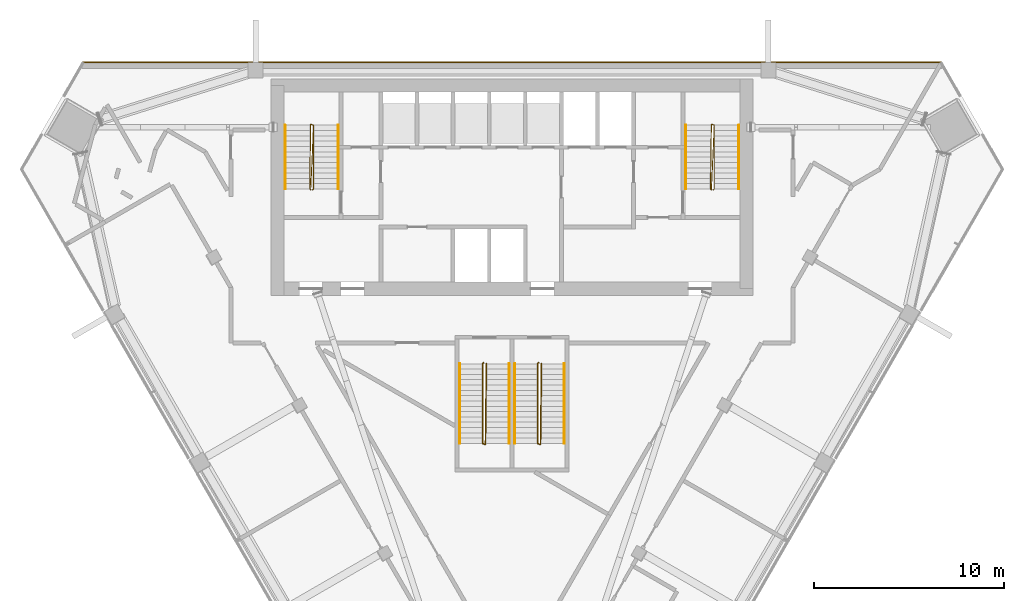
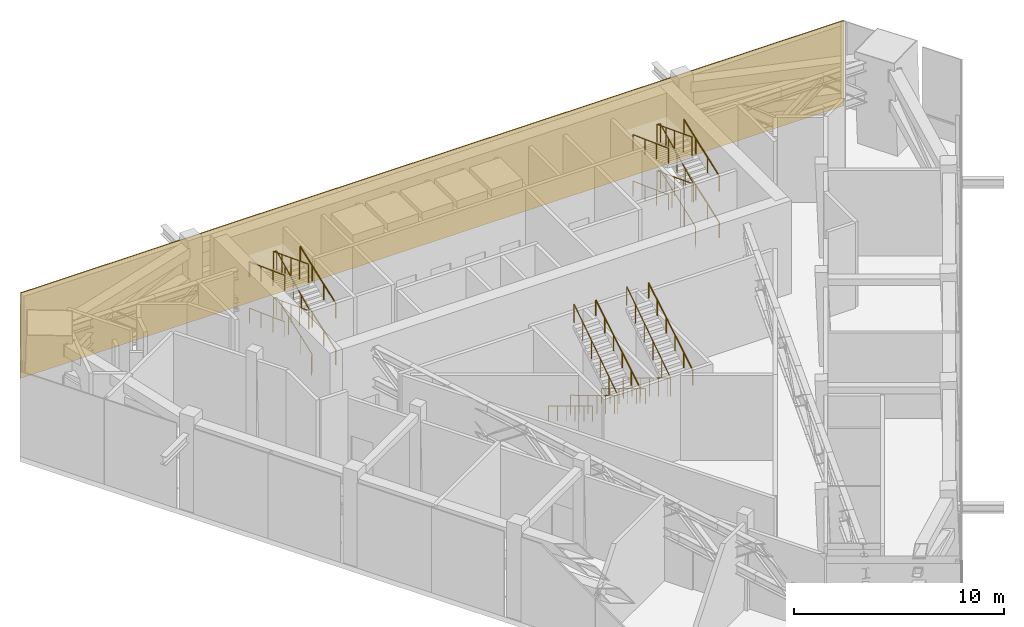
# One storey, part 13 of 14: 16 railings, 1 covering.
"""IFC4 building model written with IfcOpenShell, lengths in metres."""

from ifc_helpers import new_model, si_unit, direction, frame, frame_2d, origin, origin_2d, place, context, subcontext, project, spatial, rectangle, circle, extrude, material, layer, layer_set, type_object, element, save


model = new_model("IFC4")

# Units and contexts
model_context = context("Model", 3, precision=1e-05, world=origin(), true_north=direction((0.0, 1.0)))
body_context = subcontext(model_context, "Body", "Model", "MODEL_VIEW")
ifc_project = project(units=[si_unit("LENGTHUNIT", "METRE"), si_unit("AREAUNIT", "SQUARE_METRE"), si_unit("VOLUMEUNIT", "CUBIC_METRE"), si_unit("PLANEANGLEUNIT", "RADIAN"), si_unit("MASSUNIT", "GRAM", prefix="KILO")], contexts=[model_context])

# Site, building, storey
site_placement = place(None, origin())
site = spatial("IfcSite", under=ifc_project, at=site_placement, CompositionType="ELEMENT")
building_placement = place(site_placement, origin())
building = spatial("IfcBuilding", under=site, at=building_placement, Name="Altiplano Prism Tower", CompositionType="ELEMENT")
storey_placement = place(building_placement, frame((0.0, 0.0, 189.0)))
storey = spatial("IfcBuildingStorey", under=building, at=storey_placement, Name="L49", CompositionType="ELEMENT", Elevation=189.0)

# Railings
ifc_material_1 = material(Name="Steel S355", Category="steel")
railing_type_1 = type_object("IfcRailingType", Name="Stair guard 1100", PredefinedType="GUARDRAIL", material=ifc_material_1)
railing_1_placement = place(storey_placement, frame((74.5, 98.25, 0.0)))
element("IfcRailing", 1, at=railing_1_placement, inside=storey, type_object=railing_type_1, Name="L49 ST1 stair guard 1", PredefinedType="GUARDRAIL", context=body_context, shape_type="SweptSolid", body=[
    extrude(circle(Radius=0.02392578125, at=origin_2d()), frame((0.0, 0.0, 1.076171875), z_axis=(0.398471624337, 0.398471624337, 0.826099708992), x_axis=(-0.707106781187, 0.707106781187, 0.0)), (0.0, 0.0, 1.0), 0.12548828125),
    extrude(circle(Radius=0.02392578125, at=origin_2d()), frame((0.050048828125, 0.050048828125, 1.1796875), z_axis=(0.0, 0.937571951407, 0.347791368401), x_axis=(-1.0, 0.0, 0.0)), (0.0, 0.0, 1.0), 3.58349609375),
    extrude(circle(Radius=0.02392578125, at=origin_2d()), frame((0.050048828125, 3.409912109375, 2.42626953125), z_axis=(-0.948683298051, 0.316227766017, 0.0), x_axis=(-0.316227766017, -0.948683298051, 0.0)), (0.0, 0.0, 1.0), 0.158203125),
    extrude(circle(Radius=0.02392578125, at=origin_2d()), frame((-0.10009765625, 3.4599609375, 2.42626953125), z_axis=(-0.013579238249, -0.929711865806, 0.368037295485), x_axis=(0.999893351539, -0.01460429897, 0.0)), (0.0, 0.0, 1.0), 3.667724609375),
    extrude(circle(Radius=0.02392578125, at=origin_2d()), frame((-0.14990234375, 0.050048828125, 3.77587890625), z_axis=(0.705375805398, -0.708833529934, 0.0), x_axis=(0.708833529934, 0.705375805398, 0.0)), (0.0, 0.0, 1.0), 0.070556640625),
    extrude(circle(Radius=0.02392578125, at=origin_2d()), frame((-0.10009765625, 0.0, 3.77587890625), z_axis=(0.040905914243, 0.928996592253, 0.367820659781), x_axis=(-0.99903198295, 0.043989737919, 0.0)), (0.0, 0.0, 1.0), 3.670654296875),
    extrude(circle(Radius=0.02392578125, at=origin_2d()), frame((0.050048828125, 3.409912109375, 5.1259765625), z_axis=(-0.948683298051, 0.316227766017, 0.0), x_axis=(-0.316227766017, -0.948683298051, 0.0)), (0.0, 0.0, 1.0), 0.158203125),
    extrude(circle(Radius=0.02392578125, at=origin_2d()), frame((-0.10009765625, 3.4599609375, 5.1259765625), z_axis=(-0.013579238249, -0.929711865806, 0.368037295485), x_axis=(0.999893351539, -0.01460429897, 0.0)), (0.0, 0.0, 1.0), 3.667724609375),
    extrude(circle(Radius=0.02099609375, at=origin_2d()), origin(), (0.0, 0.0, 1.0), 1.052001953125),
    extrude(circle(Radius=0.02099609375, at=origin_2d()), frame((0.050048828125, 0.050048828125, 0.103759765625)), (0.0, 0.0, 1.0), 1.052001953125),
    extrude(circle(Radius=0.02099609375, at=origin_2d()), frame((0.050048828125, 1.169921875, 0.519287109375)), (0.0, 0.0, 1.0), 1.052001953125),
    extrude(circle(Radius=0.02099609375, at=origin_2d()), frame((0.050048828125, 2.2900390625, 0.9345703125)), (0.0, 0.0, 1.0), 1.052001953125),
    extrude(circle(Radius=0.02099609375, at=origin_2d()), frame((0.050048828125, 3.409912109375, 1.35009765625)), (0.0, 0.0, 1.0), 1.052001953125),
    extrude(circle(Radius=0.02099609375, at=origin_2d()), frame((-0.10009765625, 3.4599609375, 1.35009765625)), (0.0, 0.0, 1.0), 1.052001953125),
    extrude(circle(Radius=0.02099609375, at=origin_2d()), frame((-0.112548828125, 2.607421875, 1.6875)), (0.0, 0.0, 1.0), 1.052001953125),
    extrude(circle(Radius=0.02099609375, at=origin_2d()), frame((-0.125, 1.7548828125, 2.02490234375)), (0.0, 0.0, 1.0), 1.052001953125),
    extrude(circle(Radius=0.02099609375, at=origin_2d()), frame((-0.137451171875, 0.902587890625, 2.362548828125)), (0.0, 0.0, 1.0), 1.052001953125),
    extrude(circle(Radius=0.02099609375, at=origin_2d()), frame((-0.14990234375, 0.050048828125, 2.699951171875)), (0.0, 0.0, 1.0), 1.052001953125),
    extrude(circle(Radius=0.02099609375, at=origin_2d()), frame((-0.10009765625, 0.0, 2.699951171875)), (0.0, 0.0, 1.0), 1.052001953125),
    extrude(circle(Radius=0.02099609375, at=origin_2d()), frame((-0.0625, 0.8525390625, 3.03759765625)), (0.0, 0.0, 1.0), 1.052001953125),
    extrude(circle(Radius=0.02099609375, at=origin_2d()), frame((-0.02490234375, 1.705078125, 3.375)), (0.0, 0.0, 1.0), 1.052001953125),
    extrude(circle(Radius=0.02099609375, at=origin_2d()), frame((0.012451171875, 2.557373046875, 3.71240234375)), (0.0, 0.0, 1.0), 1.052001953125),
    extrude(circle(Radius=0.02099609375, at=origin_2d()), frame((0.050048828125, 3.409912109375, 4.050048828125)), (0.0, 0.0, 1.0), 1.052001953125),
    extrude(circle(Radius=0.02099609375, at=origin_2d()), frame((-0.10009765625, 3.4599609375, 4.050048828125)), (0.0, 0.0, 1.0), 1.052001953125),
    extrude(circle(Radius=0.02099609375, at=origin_2d()), frame((-0.112548828125, 2.607421875, 4.387451171875)), (0.0, 0.0, 1.0), 1.052001953125),
    extrude(circle(Radius=0.02099609375, at=origin_2d()), frame((-0.125, 1.7548828125, 4.72509765625)), (0.0, 0.0, 1.0), 1.052001953125),
    extrude(circle(Radius=0.02099609375, at=origin_2d()), frame((-0.137451171875, 0.902587890625, 5.0625)), (0.0, 0.0, 1.0), 1.052001953125),
    extrude(circle(Radius=0.02099609375, at=origin_2d()), frame((-0.14990234375, 0.050048828125, 5.39990234375)), (0.0, 0.0, 1.0), 1.052001953125),
])
railing_2_placement = place(storey_placement, frame((95.60009765625, 98.25, 0.0)))
element("IfcRailing", 2, at=railing_2_placement, inside=storey, type_object=railing_type_1, Name="L49 ST2 stair guard 1", PredefinedType="GUARDRAIL", context=body_context, shape_type="SweptSolid", body=[
    extrude(circle(Radius=0.02392578125, at=origin_2d()), frame((0.0, 0.0, 1.076171875), z_axis=(0.396834591399, 0.398779859004, 0.826738732081), x_axis=(-0.708833529934, 0.705375805398, 0.0)), (0.0, 0.0, 1.0), 0.12548828125),
    extrude(circle(Radius=0.02392578125, at=origin_2d()), frame((0.0498046875, 0.050048828125, 1.1796875), z_axis=(0.0, 0.937571951407, 0.347791368401), x_axis=(-1.0, 0.0, 0.0)), (0.0, 0.0, 1.0), 3.58349609375),
    extrude(circle(Radius=0.02392578125, at=origin_2d()), frame((0.0498046875, 3.409912109375, 2.42626953125), z_axis=(-0.948528701346, 0.316691178788, 0.0), x_axis=(-0.316691178788, -0.948528701346, 0.0)), (0.0, 0.0, 1.0), 0.157958984375),
    extrude(circle(Radius=0.02392578125, at=origin_2d()), frame((-0.10009765625, 3.4599609375, 2.42626953125), z_axis=(-0.013645790778, -0.92971102338, 0.368036962001), x_axis=(0.999892303572, -0.014675873289, 0.0)), (0.0, 0.0, 1.0), 3.667724609375),
    extrude(circle(Radius=0.02392578125, at=origin_2d()), frame((-0.150146484375, 0.050048828125, 3.77587890625), z_axis=(0.707106781187, -0.707106781187, 0.0), x_axis=(0.707106781187, 0.707106781187, 0.0)), (0.0, 0.0, 1.0), 0.07080078125),
    extrude(circle(Radius=0.02392578125, at=origin_2d()), frame((-0.10009765625, 0.0, 3.77587890625), z_axis=(0.040839511588, 0.928999117825, 0.367821659739), x_axis=(-0.999035123863, 0.043918347967, 0.0)), (0.0, 0.0, 1.0), 3.67041015625),
    extrude(circle(Radius=0.02392578125, at=origin_2d()), frame((0.0498046875, 3.409912109375, 5.1259765625), z_axis=(-0.948528701346, 0.316691178788, 0.0), x_axis=(-0.316691178788, -0.948528701346, 0.0)), (0.0, 0.0, 1.0), 0.157958984375),
    extrude(circle(Radius=0.02392578125, at=origin_2d()), frame((-0.10009765625, 3.4599609375, 5.1259765625), z_axis=(-0.013645790778, -0.92971102338, 0.368036962001), x_axis=(0.999892303572, -0.014675873289, 0.0)), (0.0, 0.0, 1.0), 3.667724609375),
    extrude(circle(Radius=0.02099609375, at=origin_2d()), origin(), (0.0, 0.0, 1.0), 1.052001953125),
    extrude(circle(Radius=0.02099609375, at=origin_2d()), frame((0.0498046875, 0.050048828125, 0.103759765625)), (0.0, 0.0, 1.0), 1.052001953125),
    extrude(circle(Radius=0.02099609375, at=origin_2d()), frame((0.0498046875, 1.169921875, 0.519287109375)), (0.0, 0.0, 1.0), 1.052001953125),
    extrude(circle(Radius=0.02099609375, at=origin_2d()), frame((0.0498046875, 2.2900390625, 0.9345703125)), (0.0, 0.0, 1.0), 1.052001953125),
    extrude(circle(Radius=0.02099609375, at=origin_2d()), frame((0.0498046875, 3.409912109375, 1.35009765625)), (0.0, 0.0, 1.0), 1.052001953125),
    extrude(circle(Radius=0.02099609375, at=origin_2d()), frame((-0.10009765625, 3.4599609375, 1.35009765625)), (0.0, 0.0, 1.0), 1.052001953125),
    extrude(circle(Radius=0.02099609375, at=origin_2d()), frame((-0.112548828125, 2.607421875, 1.6875)), (0.0, 0.0, 1.0), 1.052001953125),
    extrude(circle(Radius=0.02099609375, at=origin_2d()), frame((-0.125, 1.7548828125, 2.02490234375)), (0.0, 0.0, 1.0), 1.052001953125),
    extrude(circle(Radius=0.02099609375, at=origin_2d()), frame((-0.1376953125, 0.902587890625, 2.362548828125)), (0.0, 0.0, 1.0), 1.052001953125),
    extrude(circle(Radius=0.02099609375, at=origin_2d()), frame((-0.150146484375, 0.050048828125, 2.699951171875)), (0.0, 0.0, 1.0), 1.052001953125),
    extrude(circle(Radius=0.02099609375, at=origin_2d()), frame((-0.10009765625, 0.0, 2.699951171875)), (0.0, 0.0, 1.0), 1.052001953125),
    extrude(circle(Radius=0.02099609375, at=origin_2d()), frame((-0.0625, 0.8525390625, 3.03759765625)), (0.0, 0.0, 1.0), 1.052001953125),
    extrude(circle(Radius=0.02099609375, at=origin_2d()), frame((-0.025146484375, 1.705078125, 3.375)), (0.0, 0.0, 1.0), 1.052001953125),
    extrude(circle(Radius=0.02099609375, at=origin_2d()), frame((0.01220703125, 2.557373046875, 3.71240234375)), (0.0, 0.0, 1.0), 1.052001953125),
    extrude(circle(Radius=0.02099609375, at=origin_2d()), frame((0.0498046875, 3.409912109375, 4.050048828125)), (0.0, 0.0, 1.0), 1.052001953125),
    extrude(circle(Radius=0.02099609375, at=origin_2d()), frame((-0.10009765625, 3.4599609375, 4.050048828125)), (0.0, 0.0, 1.0), 1.052001953125),
    extrude(circle(Radius=0.02099609375, at=origin_2d()), frame((-0.112548828125, 2.607421875, 4.387451171875)), (0.0, 0.0, 1.0), 1.052001953125),
    extrude(circle(Radius=0.02099609375, at=origin_2d()), frame((-0.125, 1.7548828125, 4.72509765625)), (0.0, 0.0, 1.0), 1.052001953125),
    extrude(circle(Radius=0.02099609375, at=origin_2d()), frame((-0.1376953125, 0.902587890625, 5.0625)), (0.0, 0.0, 1.0), 1.052001953125),
    extrude(circle(Radius=0.02099609375, at=origin_2d()), frame((-0.150146484375, 0.050048828125, 5.39990234375)), (0.0, 0.0, 1.0), 1.052001953125),
])
railing_3_placement = place(storey_placement, frame((83.5, 89.14990234375, 0.0)))
element("IfcRailing", 3, at=railing_3_placement, inside=storey, type_object=railing_type_1, Name="L49 ST3A stair guard 1", PredefinedType="GUARDRAIL", context=body_context, shape_type="SweptSolid", body=[
    extrude(circle(Radius=0.02392578125, at=origin_2d()), frame((0.0, 0.0, 1.076171875), z_axis=(-0.273668752699, -0.272333783174, 0.922463942026), x_axis=(0.705375805398, -0.708833529934, 0.0)), (0.0, 0.0, 1.0), 0.182861328125),
    extrude(circle(Radius=0.02392578125, at=origin_2d()), frame((-0.050048828125, -0.0498046875, 1.24462890625), z_axis=(0.0, -0.856489757249, 0.516164020179), x_axis=(1.0, 0.0, 0.0)), (0.0, 0.0, 1.0), 4.904052734375),
    extrude(circle(Radius=0.02392578125, at=origin_2d()), frame((-0.050048828125, -4.25, 3.77587890625), z_axis=(0.949145278916, -0.314838433982, 0.0), x_axis=(0.314838433982, 0.949145278916, 0.0)), (0.0, 0.0, 1.0), 0.158203125),
    extrude(circle(Radius=0.02392578125, at=origin_2d()), frame((0.10009765625, -4.2998046875, 3.77587890625), z_axis=(0.009891014468, 0.844033234581, 0.536199651955), x_axis=(-0.999931342521, 0.01171794542, 0.0)), (0.0, 0.0, 1.0), 5.035400390625),
    extrude(circle(Radius=0.02099609375, at=origin_2d()), origin(), (0.0, 0.0, 1.0), 1.052001953125),
    extrude(circle(Radius=0.02099609375, at=origin_2d()), frame((-0.050048828125, -0.0498046875, 0.168701171875)), (0.0, 0.0, 1.0), 1.052001953125),
    extrude(circle(Radius=0.02099609375, at=origin_2d()), frame((-0.050048828125, -0.889892578125, 0.675048828125)), (0.0, 0.0, 1.0), 1.052001953125),
    extrude(circle(Radius=0.02099609375, at=origin_2d()), frame((-0.050048828125, -1.72998046875, 1.18115234375)), (0.0, 0.0, 1.0), 1.052001953125),
    extrude(circle(Radius=0.02099609375, at=origin_2d()), frame((-0.050048828125, -2.56982421875, 1.6875)), (0.0, 0.0, 1.0), 1.052001953125),
    extrude(circle(Radius=0.02099609375, at=origin_2d()), frame((-0.050048828125, -3.409912109375, 2.193603515625)), (0.0, 0.0, 1.0), 1.052001953125),
    extrude(circle(Radius=0.02099609375, at=origin_2d()), frame((-0.050048828125, -4.25, 2.699951171875)), (0.0, 0.0, 1.0), 1.052001953125),
    extrude(circle(Radius=0.02099609375, at=origin_2d()), frame((0.10009765625, -4.2998046875, 2.699951171875)), (0.0, 0.0, 1.0), 1.052001953125),
    extrude(circle(Radius=0.02099609375, at=origin_2d()), frame((0.110107421875, -3.44970703125, 3.239990234375)), (0.0, 0.0, 1.0), 1.052001953125),
    extrude(circle(Radius=0.02099609375, at=origin_2d()), frame((0.1201171875, -2.599853515625, 3.780029296875)), (0.0, 0.0, 1.0), 1.052001953125),
    extrude(circle(Radius=0.02099609375, at=origin_2d()), frame((0.1298828125, -1.749755859375, 4.31982421875)), (0.0, 0.0, 1.0), 1.052001953125),
    extrude(circle(Radius=0.02099609375, at=origin_2d()), frame((0.139892578125, -0.89990234375, 4.85986328125)), (0.0, 0.0, 1.0), 1.052001953125),
    extrude(circle(Radius=0.02099609375, at=origin_2d()), frame((0.14990234375, -0.0498046875, 5.39990234375)), (0.0, 0.0, 1.0), 1.052001953125),
])
railing_4_placement = place(storey_placement, frame((86.39990234375, 89.14990234375, 0.0)))
element("IfcRailing", 4, at=railing_4_placement, inside=storey, type_object=railing_type_1, Name="L49 ST3B stair guard 1", PredefinedType="GUARDRAIL", context=body_context, shape_type="SweptSolid", body=[
    extrude(circle(Radius=0.02392578125, at=origin_2d()), frame((0.0, 0.0, 1.076171875), z_axis=(-0.272433089069, -0.272433089069, 0.922800316407), x_axis=(0.707106781187, -0.707106781187, 0.0)), (0.0, 0.0, 1.0), 0.182861328125),
    extrude(circle(Radius=0.02392578125, at=origin_2d()), frame((-0.0498046875, -0.0498046875, 1.24462890625), z_axis=(0.0, -0.856489757249, 0.516164020179), x_axis=(1.0, 0.0, 0.0)), (0.0, 0.0, 1.0), 4.904052734375),
    extrude(circle(Radius=0.02392578125, at=origin_2d()), frame((-0.0498046875, -4.25, 3.77587890625), z_axis=(0.948991962702, -0.315300261223, 0.0), x_axis=(0.315300261223, 0.948991962702, 0.0)), (0.0, 0.0, 1.0), 0.157958984375),
    extrude(circle(Radius=0.02392578125, at=origin_2d()), frame((0.10009765625, -4.2998046875, 3.77587890625), z_axis=(0.009939495054, 0.844032828816, 0.53619939418), x_axis=(-0.999930667828, 0.011775378384, 0.0)), (0.0, 0.0, 1.0), 5.035400390625),
    extrude(circle(Radius=0.02099609375, at=origin_2d()), origin(), (0.0, 0.0, 1.0), 1.052001953125),
    extrude(circle(Radius=0.02099609375, at=origin_2d()), frame((-0.0498046875, -0.0498046875, 0.168701171875)), (0.0, 0.0, 1.0), 1.052001953125),
    extrude(circle(Radius=0.02099609375, at=origin_2d()), frame((-0.0498046875, -0.889892578125, 0.675048828125)), (0.0, 0.0, 1.0), 1.052001953125),
    extrude(circle(Radius=0.02099609375, at=origin_2d()), frame((-0.0498046875, -1.72998046875, 1.18115234375)), (0.0, 0.0, 1.0), 1.052001953125),
    extrude(circle(Radius=0.02099609375, at=origin_2d()), frame((-0.0498046875, -2.56982421875, 1.6875)), (0.0, 0.0, 1.0), 1.052001953125),
    extrude(circle(Radius=0.02099609375, at=origin_2d()), frame((-0.0498046875, -3.409912109375, 2.193603515625)), (0.0, 0.0, 1.0), 1.052001953125),
    extrude(circle(Radius=0.02099609375, at=origin_2d()), frame((-0.0498046875, -4.25, 2.699951171875)), (0.0, 0.0, 1.0), 1.052001953125),
    extrude(circle(Radius=0.02099609375, at=origin_2d()), frame((0.10009765625, -4.2998046875, 2.699951171875)), (0.0, 0.0, 1.0), 1.052001953125),
    extrude(circle(Radius=0.02099609375, at=origin_2d()), frame((0.110107421875, -3.44970703125, 3.239990234375)), (0.0, 0.0, 1.0), 1.052001953125),
    extrude(circle(Radius=0.02099609375, at=origin_2d()), frame((0.1201171875, -2.599853515625, 3.780029296875)), (0.0, 0.0, 1.0), 1.052001953125),
    extrude(circle(Radius=0.02099609375, at=origin_2d()), frame((0.130126953125, -1.749755859375, 4.31982421875)), (0.0, 0.0, 1.0), 1.052001953125),
    extrude(circle(Radius=0.02099609375, at=origin_2d()), frame((0.14013671875, -0.89990234375, 4.85986328125)), (0.0, 0.0, 1.0), 1.052001953125),
    extrude(circle(Radius=0.02099609375, at=origin_2d()), frame((0.150146484375, -0.0498046875, 5.39990234375)), (0.0, 0.0, 1.0), 1.052001953125),
])
railing_type_2 = type_object("IfcRailingType", Name="Stair handrail 900", PredefinedType="HANDRAIL", material=ifc_material_1)
railing_5_placement = place(storey_placement, frame((75.85009765625, 98.300048828125, 0.103759765625)))
element("IfcRailing", 5, at=railing_5_placement, inside=storey, type_object=railing_type_2, Name="L49 ST1 stair handrail 1", PredefinedType="HANDRAIL", context=body_context, shape_type="SweptSolid", body=[
    extrude(circle(Radius=0.02392578125, at=origin_2d()), frame((0.0, 0.0, 0.8759765625), z_axis=(0.0, 0.937571951407, 0.347791368401), x_axis=(-1.0, 0.0, 0.0)), (0.0, 0.0, 1.0), 3.58349609375),
    extrude(circle(Radius=0.02099609375, at=origin_2d()), origin(), (0.0, 0.0, 1.0), 0.851806640625),
    extrude(circle(Radius=0.02099609375, at=origin_2d()), frame((0.0, 1.119873046875, 0.41552734375)), (0.0, 0.0, 1.0), 0.851806640625),
    extrude(circle(Radius=0.02099609375, at=origin_2d()), frame((0.0, 2.239990234375, 0.830810546875)), (0.0, 0.0, 1.0), 0.851806640625),
    extrude(circle(Radius=0.02099609375, at=origin_2d()), frame((0.0, 3.35986328125, 1.246337890625)), (0.0, 0.0, 1.0), 0.851806640625),
])
railing_6_placement = place(storey_placement, frame((73.050048828125, 101.659912109375, 1.453857421875)))
element("IfcRailing", 6, at=railing_6_placement, inside=storey, type_object=railing_type_2, Name="L49 ST1 stair handrail 2", PredefinedType="HANDRAIL", context=body_context, shape_type="SweptSolid", body=[
    extrude(circle(Radius=0.02392578125, at=origin_2d()), frame((0.0, 0.0, 0.8759765625), z_axis=(0.0, -0.937594165028, 0.347731479313), x_axis=(1.0, 0.0, 0.0)), (0.0, 0.0, 1.0), 3.58349609375),
    extrude(circle(Radius=0.02099609375, at=origin_2d()), origin(), (0.0, 0.0, 1.0), 0.851806640625),
    extrude(circle(Radius=0.02099609375, at=origin_2d()), frame((0.0, -1.119873046875, 0.415283203125)), (0.0, 0.0, 1.0), 0.851806640625),
    extrude(circle(Radius=0.02099609375, at=origin_2d()), frame((0.0, -2.239990234375, 0.830810546875)), (0.0, 0.0, 1.0), 0.851806640625),
    extrude(circle(Radius=0.02099609375, at=origin_2d()), frame((0.0, -3.35986328125, 1.24609375)), (0.0, 0.0, 1.0), 0.851806640625),
])
railing_7_placement = place(storey_placement, frame((75.85009765625, 98.300048828125, 2.803955078125)))
element("IfcRailing", 7, at=railing_7_placement, inside=storey, type_object=railing_type_2, Name="L49 ST1 stair handrail 3", PredefinedType="HANDRAIL", context=body_context, shape_type="SweptSolid", body=[
    extrude(circle(Radius=0.02392578125, at=origin_2d()), frame((0.0, 0.0, 0.8759765625), z_axis=(0.0, 0.937594165028, 0.347731479313), x_axis=(-1.0, 0.0, 0.0)), (0.0, 0.0, 1.0), 3.58349609375),
    extrude(circle(Radius=0.02099609375, at=origin_2d()), origin(), (0.0, 0.0, 1.0), 0.851806640625),
    extrude(circle(Radius=0.02099609375, at=origin_2d()), frame((0.0, 1.119873046875, 0.415283203125)), (0.0, 0.0, 1.0), 0.851806640625),
    extrude(circle(Radius=0.02099609375, at=origin_2d()), frame((0.0, 2.239990234375, 0.830810546875)), (0.0, 0.0, 1.0), 0.851806640625),
    extrude(circle(Radius=0.02099609375, at=origin_2d()), frame((0.0, 3.35986328125, 1.24609375)), (0.0, 0.0, 1.0), 0.851806640625),
])
railing_8_placement = place(storey_placement, frame((73.050048828125, 101.659912109375, 4.15380859375)))
element("IfcRailing", 8, at=railing_8_placement, inside=storey, type_object=railing_type_2, Name="L49 ST1 stair handrail 4", PredefinedType="HANDRAIL", context=body_context, shape_type="SweptSolid", body=[
    extrude(circle(Radius=0.02392578125, at=origin_2d()), frame((0.0, 0.0, 0.8759765625), z_axis=(0.0, -0.937594165028, 0.347731479313), x_axis=(1.0, 0.0, 0.0)), (0.0, 0.0, 1.0), 3.58349609375),
    extrude(circle(Radius=0.02099609375, at=origin_2d()), origin(), (0.0, 0.0, 1.0), 0.851806640625),
    extrude(circle(Radius=0.02099609375, at=origin_2d()), frame((0.0, -1.119873046875, 0.415283203125)), (0.0, 0.0, 1.0), 0.851806640625),
    extrude(circle(Radius=0.02099609375, at=origin_2d()), frame((0.0, -2.239990234375, 0.830810546875)), (0.0, 0.0, 1.0), 0.851806640625),
    extrude(circle(Radius=0.02099609375, at=origin_2d()), frame((0.0, -3.35986328125, 1.24609375)), (0.0, 0.0, 1.0), 0.851806640625),
])
railing_9_placement = place(storey_placement, frame((96.949951171875, 98.300048828125, 0.103759765625)))
element("IfcRailing", 9, at=railing_9_placement, inside=storey, type_object=railing_type_2, Name="L49 ST2 stair handrail 1", PredefinedType="HANDRAIL", context=body_context, shape_type="SweptSolid", body=[
    extrude(circle(Radius=0.02392578125, at=origin_2d()), frame((0.0, 0.0, 0.8759765625), z_axis=(0.0, 0.937571951407, 0.347791368401), x_axis=(-1.0, 0.0, 0.0)), (0.0, 0.0, 1.0), 3.58349609375),
    extrude(circle(Radius=0.02099609375, at=origin_2d()), origin(), (0.0, 0.0, 1.0), 0.851806640625),
    extrude(circle(Radius=0.02099609375, at=origin_2d()), frame((0.0, 1.119873046875, 0.41552734375)), (0.0, 0.0, 1.0), 0.851806640625),
    extrude(circle(Radius=0.02099609375, at=origin_2d()), frame((0.0, 2.239990234375, 0.830810546875)), (0.0, 0.0, 1.0), 0.851806640625),
    extrude(circle(Radius=0.02099609375, at=origin_2d()), frame((0.0, 3.35986328125, 1.246337890625)), (0.0, 0.0, 1.0), 0.851806640625),
])
railing_10_placement = place(storey_placement, frame((94.14990234375, 101.659912109375, 1.453857421875)))
element("IfcRailing", 10, at=railing_10_placement, inside=storey, type_object=railing_type_2, Name="L49 ST2 stair handrail 2", PredefinedType="HANDRAIL", context=body_context, shape_type="SweptSolid", body=[
    extrude(circle(Radius=0.02392578125, at=origin_2d()), frame((0.0, 0.0, 0.8759765625), z_axis=(0.0, -0.937594165028, 0.347731479313), x_axis=(1.0, 0.0, 0.0)), (0.0, 0.0, 1.0), 3.58349609375),
    extrude(circle(Radius=0.02099609375, at=origin_2d()), origin(), (0.0, 0.0, 1.0), 0.851806640625),
    extrude(circle(Radius=0.02099609375, at=origin_2d()), frame((0.0, -1.119873046875, 0.415283203125)), (0.0, 0.0, 1.0), 0.851806640625),
    extrude(circle(Radius=0.02099609375, at=origin_2d()), frame((0.0, -2.239990234375, 0.830810546875)), (0.0, 0.0, 1.0), 0.851806640625),
    extrude(circle(Radius=0.02099609375, at=origin_2d()), frame((0.0, -3.35986328125, 1.24609375)), (0.0, 0.0, 1.0), 0.851806640625),
])
railing_11_placement = place(storey_placement, frame((96.949951171875, 98.300048828125, 2.803955078125)))
element("IfcRailing", 11, at=railing_11_placement, inside=storey, type_object=railing_type_2, Name="L49 ST2 stair handrail 3", PredefinedType="HANDRAIL", context=body_context, shape_type="SweptSolid", body=[
    extrude(circle(Radius=0.02392578125, at=origin_2d()), frame((0.0, 0.0, 0.8759765625), z_axis=(0.0, 0.937594165028, 0.347731479313), x_axis=(-1.0, 0.0, 0.0)), (0.0, 0.0, 1.0), 3.58349609375),
    extrude(circle(Radius=0.02099609375, at=origin_2d()), origin(), (0.0, 0.0, 1.0), 0.851806640625),
    extrude(circle(Radius=0.02099609375, at=origin_2d()), frame((0.0, 1.119873046875, 0.415283203125)), (0.0, 0.0, 1.0), 0.851806640625),
    extrude(circle(Radius=0.02099609375, at=origin_2d()), frame((0.0, 2.239990234375, 0.830810546875)), (0.0, 0.0, 1.0), 0.851806640625),
    extrude(circle(Radius=0.02099609375, at=origin_2d()), frame((0.0, 3.35986328125, 1.24609375)), (0.0, 0.0, 1.0), 0.851806640625),
])
railing_12_placement = place(storey_placement, frame((94.14990234375, 101.659912109375, 4.15380859375)))
element("IfcRailing", 12, at=railing_12_placement, inside=storey, type_object=railing_type_2, Name="L49 ST2 stair handrail 4", PredefinedType="HANDRAIL", context=body_context, shape_type="SweptSolid", body=[
    extrude(circle(Radius=0.02392578125, at=origin_2d()), frame((0.0, 0.0, 0.8759765625), z_axis=(0.0, -0.937594165028, 0.347731479313), x_axis=(1.0, 0.0, 0.0)), (0.0, 0.0, 1.0), 3.58349609375),
    extrude(circle(Radius=0.02099609375, at=origin_2d()), origin(), (0.0, 0.0, 1.0), 0.851806640625),
    extrude(circle(Radius=0.02099609375, at=origin_2d()), frame((0.0, -1.119873046875, 0.415283203125)), (0.0, 0.0, 1.0), 0.851806640625),
    extrude(circle(Radius=0.02099609375, at=origin_2d()), frame((0.0, -2.239990234375, 0.830810546875)), (0.0, 0.0, 1.0), 0.851806640625),
    extrude(circle(Radius=0.02099609375, at=origin_2d()), frame((0.0, -3.35986328125, 1.24609375)), (0.0, 0.0, 1.0), 0.851806640625),
])
railing_13_placement = place(storey_placement, frame((82.25, 89.10009765625, 0.168701171875)))
element("IfcRailing", 13, at=railing_13_placement, inside=storey, type_object=railing_type_2, Name="L49 ST3A stair handrail 1", PredefinedType="HANDRAIL", context=body_context, shape_type="SweptSolid", body=[
    extrude(circle(Radius=0.02392578125, at=origin_2d()), frame((0.0, 0.0, 0.8759765625), z_axis=(0.0, -0.856489757249, 0.516164020179), x_axis=(1.0, 0.0, 0.0)), (0.0, 0.0, 1.0), 4.904052734375),
    extrude(circle(Radius=0.02099609375, at=origin_2d()), origin(), (0.0, 0.0, 1.0), 0.851806640625),
    extrude(circle(Radius=0.02099609375, at=origin_2d()), frame((0.0, -0.840087890625, 0.50634765625)), (0.0, 0.0, 1.0), 0.851806640625),
    extrude(circle(Radius=0.02099609375, at=origin_2d()), frame((0.0, -1.68017578125, 1.012451171875)), (0.0, 0.0, 1.0), 0.851806640625),
    extrude(circle(Radius=0.02099609375, at=origin_2d()), frame((0.0, -2.52001953125, 1.518798828125)), (0.0, 0.0, 1.0), 0.851806640625),
    extrude(circle(Radius=0.02099609375, at=origin_2d()), frame((0.0, -3.360107421875, 2.02490234375)), (0.0, 0.0, 1.0), 0.851806640625),
    extrude(circle(Radius=0.02099609375, at=origin_2d()), frame((0.0, -4.2001953125, 2.53125)), (0.0, 0.0, 1.0), 0.851806640625),
])
railing_14_placement = place(storey_placement, frame((84.85009765625, 84.89990234375, 2.86865234375)))
element("IfcRailing", 14, at=railing_14_placement, inside=storey, type_object=railing_type_2, Name="L49 ST3A stair handrail 2", PredefinedType="HANDRAIL", context=body_context, shape_type="SweptSolid", body=[
    extrude(circle(Radius=0.02392578125, at=origin_2d()), frame((0.0, 0.0, 0.8759765625), z_axis=(0.0, 0.856489757249, 0.516164020179), x_axis=(-1.0, 0.0, 0.0)), (0.0, 0.0, 1.0), 4.904052734375),
    extrude(circle(Radius=0.02099609375, at=origin_2d()), origin(), (0.0, 0.0, 1.0), 0.851806640625),
    extrude(circle(Radius=0.02099609375, at=origin_2d()), frame((0.0, 0.840087890625, 0.50634765625)), (0.0, 0.0, 1.0), 0.851806640625),
    extrude(circle(Radius=0.02099609375, at=origin_2d()), frame((0.0, 1.68017578125, 1.012451171875)), (0.0, 0.0, 1.0), 0.851806640625),
    extrude(circle(Radius=0.02099609375, at=origin_2d()), frame((0.0, 2.52001953125, 1.518798828125)), (0.0, 0.0, 1.0), 0.851806640625),
    extrude(circle(Radius=0.02099609375, at=origin_2d()), frame((0.0, 3.360107421875, 2.02490234375)), (0.0, 0.0, 1.0), 0.851806640625),
    extrude(circle(Radius=0.02099609375, at=origin_2d()), frame((0.0, 4.2001953125, 2.53125)), (0.0, 0.0, 1.0), 0.851806640625),
])
railing_15_placement = place(storey_placement, frame((85.14990234375, 89.10009765625, 0.168701171875)))
element("IfcRailing", 15, at=railing_15_placement, inside=storey, type_object=railing_type_2, Name="L49 ST3B stair handrail 1", PredefinedType="HANDRAIL", context=body_context, shape_type="SweptSolid", body=[
    extrude(circle(Radius=0.02392578125, at=origin_2d()), frame((0.0, 0.0, 0.8759765625), z_axis=(0.0, -0.856489757249, 0.516164020179), x_axis=(1.0, 0.0, 0.0)), (0.0, 0.0, 1.0), 4.904052734375),
    extrude(circle(Radius=0.02099609375, at=origin_2d()), origin(), (0.0, 0.0, 1.0), 0.851806640625),
    extrude(circle(Radius=0.02099609375, at=origin_2d()), frame((0.0, -0.840087890625, 0.50634765625)), (0.0, 0.0, 1.0), 0.851806640625),
    extrude(circle(Radius=0.02099609375, at=origin_2d()), frame((0.0, -1.68017578125, 1.012451171875)), (0.0, 0.0, 1.0), 0.851806640625),
    extrude(circle(Radius=0.02099609375, at=origin_2d()), frame((0.0, -2.52001953125, 1.518798828125)), (0.0, 0.0, 1.0), 0.851806640625),
    extrude(circle(Radius=0.02099609375, at=origin_2d()), frame((0.0, -3.360107421875, 2.02490234375)), (0.0, 0.0, 1.0), 0.851806640625),
    extrude(circle(Radius=0.02099609375, at=origin_2d()), frame((0.0, -4.2001953125, 2.53125)), (0.0, 0.0, 1.0), 0.851806640625),
])
railing_16_placement = place(storey_placement, frame((87.75, 84.89990234375, 2.86865234375)))
element("IfcRailing", 16, at=railing_16_placement, inside=storey, type_object=railing_type_2, Name="L49 ST3B stair handrail 2", PredefinedType="HANDRAIL", context=body_context, shape_type="SweptSolid", body=[
    extrude(circle(Radius=0.02392578125, at=origin_2d()), frame((0.0, 0.0, 0.8759765625), z_axis=(0.0, 0.856489757249, 0.516164020179), x_axis=(-1.0, 0.0, 0.0)), (0.0, 0.0, 1.0), 4.904052734375),
    extrude(circle(Radius=0.02099609375, at=origin_2d()), origin(), (0.0, 0.0, 1.0), 0.851806640625),
    extrude(circle(Radius=0.02099609375, at=origin_2d()), frame((0.0, 0.840087890625, 0.50634765625)), (0.0, 0.0, 1.0), 0.851806640625),
    extrude(circle(Radius=0.02099609375, at=origin_2d()), frame((0.0, 1.68017578125, 1.012451171875)), (0.0, 0.0, 1.0), 0.851806640625),
    extrude(circle(Radius=0.02099609375, at=origin_2d()), frame((0.0, 2.52001953125, 1.518798828125)), (0.0, 0.0, 1.0), 0.851806640625),
    extrude(circle(Radius=0.02099609375, at=origin_2d()), frame((0.0, 3.360107421875, 2.02490234375)), (0.0, 0.0, 1.0), 0.851806640625),
    extrude(circle(Radius=0.02099609375, at=origin_2d()), frame((0.0, 4.2001953125, 2.53125)), (0.0, 0.0, 1.0), 0.851806640625),
])

# Covering
ifc_material_2 = material(Name="Warm limestone cast stone", Category="masonry")
ifc_layer = layer(ifc_material_2, 0.06005859375)
ifc_layer_set = layer_set([ifc_layer], Name="Warm limestone cast stone")
covering_type = type_object("IfcCoveringType", Name="Stone cladding 60", PredefinedType="CLADDING", material=ifc_layer_set)
covering_placement = place(storey_placement, frame((62.3623046875, 104.969970703125, 0.0), z_axis=(0.0, 0.0, 1.0), x_axis=(1.0, 0.0, 0.0)))
element("IfcCovering", 17, at=covering_placement, inside=storey, type_object=covering_type, Name="Stone cladding north face L49", PredefinedType="CLADDING", context=body_context, shape_type="SweptSolid", body=[
    extrude(rectangle(XDim=45.275390625, YDim=0.06005859375, at=frame_2d((22.6376953125, 0.0))), origin(), (0.0, 0.0, 1.0), 4.949951171875),
])

save(model, "model.ifc")
